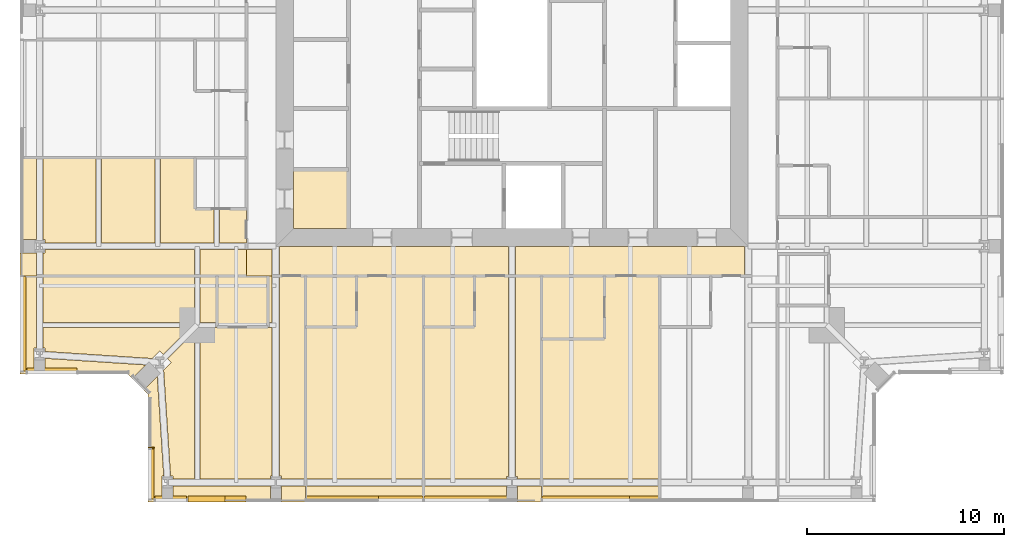
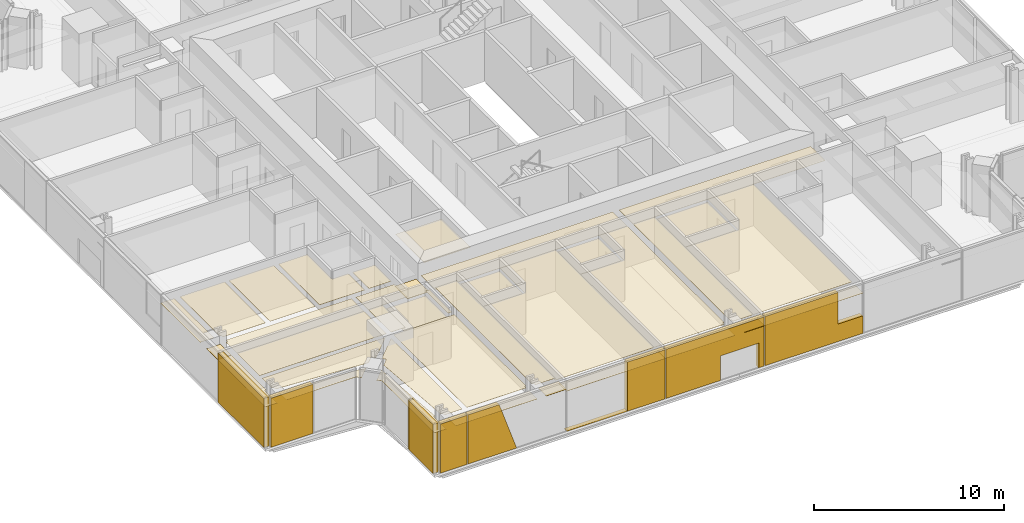
# One storey, part 16 of 20: 45 coverings.
"""IFC4 building model written with IfcOpenShell, lengths in metres."""

from ifc_helpers import new_model, si_unit, direction, frame, origin, place, context, subcontext, project, spatial, polyline, outline, extrude, material, layer, layer_set, type_object, element, save


model = new_model("IFC4")

# Units and contexts
model_context = context("Model", 3, precision=1e-05, world=origin(), true_north=direction((0.0, 1.0)))
body_context = subcontext(model_context, "Body", "Model", "MODEL_VIEW")
ifc_project = project(units=[si_unit("LENGTHUNIT", "METRE"), si_unit("AREAUNIT", "SQUARE_METRE"), si_unit("VOLUMEUNIT", "CUBIC_METRE"), si_unit("PLANEANGLEUNIT", "RADIAN"), si_unit("MASSUNIT", "GRAM", prefix="KILO")], contexts=[model_context])

# Site, building, storey
site_placement = place(None, origin())
site = spatial("IfcSite", under=ifc_project, at=site_placement, CompositionType="ELEMENT")
building_placement = place(site_placement, origin())
building = spatial("IfcBuilding", under=site, at=building_placement, Name="Fenwick Lantern Interchange", CompositionType="ELEMENT")
storey_placement = place(building_placement, frame((0.0, 0.0, 249.199951171875)))
storey = spatial("IfcBuildingStorey", under=building, at=storey_placement, Name="L58", CompositionType="ELEMENT", Elevation=249.199951171875)

# Coverings
ifc_material_1 = material(Name="Granite cladding, warm grey flamed finish, on aluminium carrier frame", Category="masonry")
ifc_layer_1 = layer(ifc_material_1, 0.300048828125)
ifc_layer_set_1 = layer_set([ifc_layer_1], Name="BRACE CASING PANEL 300")
covering_type_1 = type_object("IfcCoveringType", Name="BRACE CASING PANEL 300", PredefinedType="CLADDING", material=ifc_layer_set_1)
covering_1_placement = place(storey_placement, frame((6.60009765625, 0.10009765625, 0.0), z_axis=(0.0, 0.0, 1.0), x_axis=(1.0, 0.0, 0.0)))
element("IfcCovering", 1, at=covering_1_placement, inside=storey, type_object=covering_type_1, Name="Brace casing 01 bay 00a", PredefinedType="CLADDING", context=body_context, shape_type="SweptSolid", body=[
    extrude(outline(polyline([(0.260009765625, 0.0), (1.8701171875, 0.0), (1.8701171875, 3.150146484375), (0.260009765625, 3.150146484375), (0.260009765625, 0.0)])), frame((0.0, 0.2099609375, 0.0), z_axis=(0.0, -1.0, 0.0), x_axis=(1.0, 0.0, 0.0)), (0.0, 0.0, 1.0), 0.300048828125),
])
covering_2_placement = place(storey_placement, frame((6.60009765625, 0.10009765625, 0.0), z_axis=(0.0, 0.0, 1.0), x_axis=(1.0, 0.0, 0.0)))
element("IfcCovering", 2, at=covering_2_placement, inside=storey, type_object=covering_type_1, Name="Brace casing 01 bay 01a", PredefinedType="CLADDING", context=body_context, shape_type="SweptSolid", body=[
    extrude(outline(polyline([(1.929931640625, 0.0), (4.890869140625, 0.0), (3.827392578125, 3.150146484375), (1.929931640625, 3.150146484375), (1.929931640625, 0.0)])), frame((0.0, 0.2099609375, 0.0), z_axis=(0.0, -1.0, 0.0), x_axis=(1.0, 0.0, 0.0)), (0.0, 0.0, 1.0), 0.300048828125),
])
covering_3_placement = place(storey_placement, frame((6.60009765625, 0.10009765625, 0.0), z_axis=(0.0, 0.0, 1.0), x_axis=(1.0, 0.0, 0.0)))
element("IfcCovering", 3, at=covering_3_placement, inside=storey, type_object=covering_type_1, Name="Brace casing 01 bay 02a", PredefinedType="CLADDING", context=body_context, shape_type="SweptSolid", body=[
    extrude(outline(polyline([(7.929931640625, 0.0), (13.8701171875, 0.0), (13.8701171875, 3.150146484375), (11.60498046875, 3.150146484375), (11.60498046875, 0.00439453125), (7.929931640625, 0.00439453125), (7.929931640625, 0.0)])), frame((0.0, 0.2099609375, 0.0), z_axis=(0.0, -1.0, 0.0), x_axis=(1.0, 0.0, 0.0)), (0.0, 0.0, 1.0), 0.300048828125),
])
covering_4_placement = place(storey_placement, frame((6.60009765625, 0.10009765625, 0.0), z_axis=(0.0, 0.0, 1.0), x_axis=(1.0, 0.0, 0.0)))
element("IfcCovering", 4, at=covering_4_placement, inside=storey, type_object=covering_type_1, Name="Brace casing 01 bay 03a", PredefinedType="CLADDING", context=body_context, shape_type="SweptSolid", body=[
    extrude(outline(polyline([(13.929931640625, 0.0), (17.238037109375, 0.0), (17.238037109375, 1.580078125), (19.56298828125, 1.580078125), (19.56298828125, 0.0), (19.8701171875, 0.0), (19.8701171875, 3.150146484375), (13.929931640625, 3.150146484375), (13.929931640625, 0.0)])), frame((0.0, 0.2099609375, 0.0), z_axis=(0.0, -1.0, 0.0), x_axis=(1.0, 0.0, 0.0)), (0.0, 0.0, 1.0), 0.300048828125),
])
covering_5_placement = place(storey_placement, frame((6.60009765625, 0.10009765625, 0.0), z_axis=(0.0, 0.0, 1.0), x_axis=(1.0, 0.0, 0.0)))
element("IfcCovering", 5, at=covering_5_placement, inside=storey, type_object=covering_type_1, Name="Brace casing 01 bay 04a", PredefinedType="CLADDING", context=body_context, shape_type="SweptSolid", body=[
    extrude(outline(polyline([(19.929931640625, 0.0), (25.8701171875, 0.0), (25.8701171875, 1.120361328125), (24.372802734375, 1.120361328125), (24.372802734375, 3.150146484375), (19.929931640625, 3.150146484375), (19.929931640625, 0.0)])), frame((0.0, 0.2099609375, 0.0), z_axis=(0.0, -1.0, 0.0), x_axis=(1.0, 0.0, 0.0)), (0.0, 0.0, 1.0), 0.300048828125),
])
covering_6_placement = place(storey_placement, frame((0.10009765625, 43.39990234375, 0.0), z_axis=(0.0, 0.0, 1.0), x_axis=(0.0, -1.0, 0.0)))
element("IfcCovering", 6, at=covering_6_placement, inside=storey, type_object=covering_type_1, Name="Brace casing 13 bay 06a", PredefinedType="CLADDING", context=body_context, shape_type="SweptSolid", body=[
    extrude(outline(polyline([(31.929931640625, 0.0), (36.739990234375, 0.0), (36.739990234375, 3.150146484375), (31.929931640625, 3.150146484375), (31.929931640625, 0.0)])), frame((0.0, 0.2099609375, 0.0), z_axis=(0.0, -1.0, 0.0), x_axis=(1.0, 0.0, 0.0)), (0.0, 0.0, 1.0), 0.300048828125),
])
covering_7_placement = place(storey_placement, frame((0.10009765625, 6.60009765625, 0.0), z_axis=(0.0, 0.0, 1.0), x_axis=(1.0, 0.0, 0.0)))
element("IfcCovering", 7, at=covering_7_placement, inside=storey, type_object=covering_type_1, Name="Brace casing 14 bay 00a", PredefinedType="CLADDING", context=body_context, shape_type="SweptSolid", body=[
    extrude(outline(polyline([(0.260009765625, 0.0), (2.790771484375, 0.0), (2.790771484375, 3.150146484375), (0.260009765625, 3.150146484375), (0.260009765625, 0.0)])), frame((0.0, 0.2099609375, 0.0), z_axis=(0.0, -1.0, 0.0), x_axis=(1.0, 0.0, 0.0)), (0.0, 0.0, 1.0), 0.300048828125),
])
covering_8_placement = place(storey_placement, frame((6.60009765625, 5.54150390625, 0.0), z_axis=(0.0, 0.0, 1.0), x_axis=(0.0, -1.0, 0.0)))
element("IfcCovering", 8, at=covering_8_placement, inside=storey, type_object=covering_type_1, Name="Brace casing 16 bay 00a", PredefinedType="CLADDING", context=body_context, shape_type="SweptSolid", body=[
    extrude(outline(polyline([(2.741455078125, 0.0), (2.790771484375, 0.0), (2.790771484375, 3.150146484375), (2.741455078125, 3.150146484375), (2.741455078125, 0.0)])), frame((0.0, 0.2099609375, 0.0), z_axis=(0.0, -1.0, 0.0), x_axis=(1.0, 0.0, 0.0)), (0.0, 0.0, 1.0), 0.300048828125),
])
covering_9_placement = place(storey_placement, frame((6.60009765625, 5.54150390625, 0.0), z_axis=(0.0, 0.0, 1.0), x_axis=(0.0, -1.0, 0.0)))
element("IfcCovering", 9, at=covering_9_placement, inside=storey, type_object=covering_type_1, Name="Brace casing 16 bay 01a", PredefinedType="CLADDING", context=body_context, shape_type="SweptSolid", body=[
    extrude(outline(polyline([(2.850830078125, 0.0), (5.38134765625, 0.0), (5.38134765625, 3.150146484375), (2.850830078125, 3.150146484375), (2.850830078125, 0.0)])), frame((0.0, 0.2099609375, 0.0), z_axis=(0.0, -1.0, 0.0), x_axis=(1.0, 0.0, 0.0)), (0.0, 0.0, 1.0), 0.300048828125),
])
ifc_material_2 = material(Name="Moisture resistant gypsum board on suspended frame, painted")
ifc_layer_2 = layer(ifc_material_2, 0.014892578125)
ifc_layer_set_2 = layer_set([ifc_layer_2], Name="MOISTURE RESISTANT CEILING 15")
covering_type_2 = type_object("IfcCoveringType", Name="MOISTURE RESISTANT CEILING 15", PredefinedType="CEILING", material=ifc_layer_set_2)
covering_10_placement = place(storey_placement, frame((0.0, 0.0, 2.60009765625)))
element("IfcCovering", 10, at=covering_10_placement, inside=storey, type_object=covering_type_2, Name="Accessible WC ceiling", PredefinedType="CEILING", context=body_context, shape_type="SweptSolid", body=[
    extrude(outline(polyline([(13.89990234375, 13.89990234375), (16.699951171875, 13.89990234375), (16.699951171875, 16.89990234375), (13.89990234375, 16.89990234375), (13.89990234375, 13.89990234375)])), origin(), (0.0, 0.0, 1.0), 0.014892578125),
])
covering_11_placement = place(storey_placement, frame((0.0, 0.0, 2.400146484375)))
element("IfcCovering", 11, at=covering_11_placement, inside=storey, type_object=covering_type_2, Name="En-suite 5801 ceiling", PredefinedType="CEILING", context=body_context, shape_type="SweptSolid", body=[
    extrude(outline(polyline([(10.0, 8.89990234375), (12.60009765625, 8.89990234375), (12.60009765625, 11.5), (10.0, 11.5), (10.0, 8.89990234375)])), origin(), (0.0, 0.0, 1.0), 0.014892578125),
])
covering_12_placement = place(storey_placement, frame((0.0, 0.0, 2.400146484375)))
element("IfcCovering", 12, at=covering_12_placement, inside=storey, type_object=covering_type_2, Name="En-suite 5802 ceiling", PredefinedType="CEILING", context=body_context, shape_type="SweptSolid", body=[
    extrude(outline(polyline([(14.5, 8.89990234375), (17.10009765625, 8.89990234375), (17.10009765625, 11.5), (14.5, 11.5), (14.5, 8.89990234375)])), origin(), (0.0, 0.0, 1.0), 0.014892578125),
])
covering_13_placement = place(storey_placement, frame((0.0, 0.0, 2.400146484375)))
element("IfcCovering", 13, at=covering_13_placement, inside=storey, type_object=covering_type_2, Name="En-suite 5803 ceiling", PredefinedType="CEILING", context=body_context, shape_type="SweptSolid", body=[
    extrude(outline(polyline([(20.5, 8.89990234375), (23.10009765625, 8.89990234375), (23.10009765625, 11.5), (20.5, 11.5), (20.5, 8.89990234375)])), origin(), (0.0, 0.0, 1.0), 0.014892578125),
])
covering_14_placement = place(storey_placement, frame((0.0, 0.0, 2.400146484375)))
element("IfcCovering", 14, at=covering_14_placement, inside=storey, type_object=covering_type_2, Name="En-suite 5804 ceiling", PredefinedType="CEILING", context=body_context, shape_type="SweptSolid", body=[
    extrude(outline(polyline([(26.5, 8.300048828125), (29.699951171875, 8.300048828125), (29.699951171875, 11.5), (26.5, 11.5), (26.5, 8.300048828125)])), origin(), (0.0, 0.0, 1.0), 0.014892578125),
])
ifc_material_3 = material(Name="Gypsum plasterboard on suspended frame, painted")
ifc_layer_3 = layer(ifc_material_3, 0.014892578125)
ifc_layer_set_3 = layer_set([ifc_layer_3], Name="PLASTERBOARD CEILING 15")
covering_type_3 = type_object("IfcCoveringType", Name="PLASTERBOARD CEILING 15", PredefinedType="CEILING", material=ifc_layer_set_3)
covering_15_placement = place(storey_placement, frame((0.0, 0.0, 2.572998046875)))
element("IfcCovering", 15, at=covering_15_placement, inside=storey, type_object=covering_type_3, Name="Corridor ceiling", PredefinedType="CEILING", context=body_context, shape_type="SweptSolid", body=[
    extrude(outline(polyline([(13.183837890625, 11.5), (24.816162109375, 11.5), (24.816162109375, 13.0), (13.183837890625, 13.0), (13.183837890625, 11.5)])), origin(), (0.0, 0.0, 1.0), 0.014892578125),
])
covering_16_placement = place(storey_placement, frame((0.0, 0.0, 2.572998046875)))
element("IfcCovering", 16, at=covering_16_placement, inside=storey, type_object=covering_type_3, Name="Corridor ceiling", PredefinedType="CEILING", context=body_context, shape_type="SweptSolid", body=[
    extrude(outline(polyline([(25.183837890625, 11.5), (36.816162109375, 11.5), (36.816162109375, 13.0), (25.183837890625, 13.0), (25.183837890625, 11.5)])), origin(), (0.0, 0.0, 1.0), 0.014892578125),
])
covering_17_placement = place(storey_placement, frame((0.0, 0.0, 2.572998046875)))
element("IfcCovering", 17, at=covering_17_placement, inside=storey, type_object=covering_type_3, Name="Corridor ceiling", PredefinedType="CEILING", context=body_context, shape_type="SweptSolid", body=[
    extrude(outline(polyline([(11.5, 11.5), (12.816162109375, 11.5), (12.816162109375, 12.833984375), (11.5, 12.833984375), (11.5, 11.5)])), origin(), (0.0, 0.0, 1.0), 0.014892578125),
])
covering_18_placement = place(storey_placement, frame((0.0, 0.0, 2.699951171875)))
element("IfcCovering", 18, at=covering_18_placement, inside=storey, type_object=covering_type_3, Name="Guest suite 5801 ceiling", PredefinedType="CEILING", context=body_context, shape_type="SweptSolid", body=[
    extrude(outline(polyline([(12.72265625, 1.33447265625), (12.816162109375, 1.33447265625), (12.816162109375, 8.865478515625), (9.134521484375, 8.865478515625), (9.134521484375, 1.17236328125), (12.72265625, 1.17236328125), (12.72265625, 1.33447265625)])), origin(), (0.0, 0.0, 1.0), 0.01513671875),
])
covering_19_placement = place(storey_placement, frame((0.0, 0.0, 2.699951171875)))
element("IfcCovering", 19, at=covering_19_placement, inside=storey, type_object=covering_type_3, Name="Guest suite 5801 ceiling", PredefinedType="CEILING", context=body_context, shape_type="SweptSolid", body=[
    extrude(outline(polyline([(8.865478515625, 11.5), (1.17236328125, 11.5), (1.17236328125, 9.134521484375), (8.865478515625, 9.134521484375), (8.865478515625, 11.5)])), origin(), (0.0, 0.0, 1.0), 0.01513671875),
])
covering_20_placement = place(storey_placement, frame((0.0, 0.0, 2.699951171875)))
element("IfcCovering", 20, at=covering_20_placement, inside=storey, type_object=covering_type_3, Name="Guest suite 5801 ceiling", PredefinedType="CEILING", context=body_context, shape_type="SweptSolid", body=[
    extrude(outline(polyline([(14.5, 11.5), (13.183837890625, 11.5), (13.183837890625, 1.33447265625), (13.27734375, 1.33447265625), (13.27734375, 1.17236328125), (14.5, 1.17236328125), (14.5, 11.5)])), origin(), (0.0, 0.0, 1.0), 0.01513671875),
])
covering_21_placement = place(storey_placement, frame((0.0, 0.0, 2.699951171875)))
element("IfcCovering", 21, at=covering_21_placement, inside=storey, type_object=covering_type_3, Name="Guest suite 5801 ceiling", PredefinedType="CEILING", context=body_context, shape_type="SweptSolid", body=[
    extrude(outline(polyline([(7.10009765625, 7.6826171875), (7.28271484375, 7.499755859375), (8.648681640625, 8.865478515625), (1.17236328125, 8.865478515625), (1.17236328125, 7.83447265625), (1.27734375, 7.83447265625), (1.27734375, 7.654541015625), (6.715576171875, 7.298095703125), (7.10009765625, 7.6826171875)])), origin(), (0.0, 0.0, 1.0), 0.01513671875),
])
covering_22_placement = place(storey_placement, frame((0.0, 0.0, 2.699951171875)))
element("IfcCovering", 22, at=covering_22_placement, inside=storey, type_object=covering_type_3, Name="Guest suite 5801 ceiling", PredefinedType="CEILING", context=body_context, shape_type="SweptSolid", body=[
    extrude(outline(polyline([(7.77734375, 1.33447265625), (7.77734375, 1.17236328125), (8.865478515625, 1.17236328125), (8.865478515625, 8.648681640625), (7.499755859375, 7.28271484375), (7.6826171875, 7.10009765625), (7.298095703125, 6.715576171875), (7.65087890625, 1.33447265625), (7.77734375, 1.33447265625)])), origin(), (0.0, 0.0, 1.0), 0.01513671875),
])
covering_23_placement = place(storey_placement, frame((0.0, 0.0, 2.699951171875)))
element("IfcCovering", 23, at=covering_23_placement, inside=storey, type_object=covering_type_3, Name="Guest suite 5801 ceiling", PredefinedType="CEILING", context=body_context, shape_type="SweptSolid", body=[
    extrude(outline(polyline([(7.22265625, 1.33447265625), (7.30517578125, 1.33447265625), (6.9736328125, 6.39111328125), (6.291259765625, 5.708740234375), (6.5, 5.5), (6.5, 0.0), (7.22265625, 0.0), (7.22265625, 1.33447265625)])), origin(), (0.0, 0.0, 1.0), 0.01513671875),
])
covering_24_placement = place(storey_placement, frame((0.0, 0.0, 2.699951171875)))
element("IfcCovering", 24, at=covering_24_placement, inside=storey, type_object=covering_type_3, Name="Guest suite 5801 ceiling", PredefinedType="CEILING", context=body_context, shape_type="SweptSolid", body=[
    extrude(outline(polyline([(12.72265625, 0.0), (12.72265625, 0.82763671875), (7.77734375, 0.82763671875), (7.77734375, 0.0), (12.72265625, 0.0)])), origin(), (0.0, 0.0, 1.0), 0.01513671875),
])
covering_25_placement = place(storey_placement, frame((0.0, 0.0, 2.699951171875)))
element("IfcCovering", 25, at=covering_25_placement, inside=storey, type_object=covering_type_3, Name="Guest suite 5801 ceiling", PredefinedType="CEILING", context=body_context, shape_type="SweptSolid", body=[
    extrude(outline(polyline([(0.72265625, 7.83447265625), (0.82763671875, 7.83447265625), (0.82763671875, 11.5), (0.0, 11.5), (0.0, 6.5), (0.72265625, 6.5), (0.72265625, 7.83447265625)])), origin(), (0.0, 0.0, 1.0), 0.01513671875),
])
covering_26_placement = place(storey_placement, frame((0.0, 0.0, 2.699951171875)))
element("IfcCovering", 26, at=covering_26_placement, inside=storey, type_object=covering_type_3, Name="Guest suite 5801 ceiling", PredefinedType="CEILING", context=body_context, shape_type="SweptSolid", body=[
    extrude(outline(polyline([(5.708740234375, 6.291259765625), (6.39111328125, 6.9736328125), (1.27734375, 7.30908203125), (1.27734375, 6.5), (5.5, 6.5), (5.708740234375, 6.291259765625)])), origin(), (0.0, 0.0, 1.0), 0.01513671875),
])
covering_27_placement = place(storey_placement, frame((0.0, 0.0, 2.699951171875)))
element("IfcCovering", 27, at=covering_27_placement, inside=storey, type_object=covering_type_3, Name="Guest suite 5801 ceiling", PredefinedType="CEILING", context=body_context, shape_type="SweptSolid", body=[
    extrude(outline(polyline([(10.0, 9.134521484375), (10.0, 11.5), (9.134521484375, 11.5), (9.134521484375, 9.134521484375), (10.0, 9.134521484375)])), origin(), (0.0, 0.0, 1.0), 0.01513671875),
])
covering_28_placement = place(storey_placement, frame((0.0, 0.0, 2.699951171875)))
element("IfcCovering", 28, at=covering_28_placement, inside=storey, type_object=covering_type_3, Name="Guest suite 5801 ceiling", PredefinedType="CEILING", context=body_context, shape_type="SweptSolid", body=[
    extrude(outline(polyline([(14.5, 0.0), (14.5, 0.82763671875), (13.27734375, 0.82763671875), (13.27734375, 0.0), (14.5, 0.0)])), origin(), (0.0, 0.0, 1.0), 0.01513671875),
])
covering_29_placement = place(storey_placement, frame((0.0, 0.0, 2.699951171875)))
element("IfcCovering", 29, at=covering_29_placement, inside=storey, type_object=covering_type_3, Name="Guest suite 5801 ceiling", PredefinedType="CEILING", context=body_context, shape_type="SweptSolid", body=[
    extrude(outline(polyline([(12.60009765625, 11.5), (12.60009765625, 9.134521484375), (12.816162109375, 9.134521484375), (12.816162109375, 11.5), (12.60009765625, 11.5)])), origin(), (0.0, 0.0, 1.0), 0.01513671875),
])
covering_30_placement = place(storey_placement, frame((0.0, 0.0, 2.572998046875)))
element("IfcCovering", 30, at=covering_30_placement, inside=storey, type_object=covering_type_3, Name="Guest room 5802 ceiling", PredefinedType="CEILING", context=body_context, shape_type="SweptSolid", body=[
    extrude(outline(polyline([(20.5, 1.17236328125), (20.5, 11.5), (17.10009765625, 11.5), (17.10009765625, 8.89990234375), (14.5, 8.89990234375), (14.5, 1.17236328125), (20.5, 1.17236328125)])), origin(), (0.0, 0.0, 1.0), 0.014892578125),
])
covering_31_placement = place(storey_placement, frame((0.0, 0.0, 2.572998046875)))
element("IfcCovering", 31, at=covering_31_placement, inside=storey, type_object=covering_type_3, Name="Guest room 5802 ceiling", PredefinedType="CEILING", context=body_context, shape_type="SweptSolid", body=[
    extrude(outline(polyline([(20.5, 0.0), (20.5, 0.82763671875), (14.5, 0.82763671875), (14.5, 0.0), (20.5, 0.0)])), origin(), (0.0, 0.0, 1.0), 0.014892578125),
])
covering_32_placement = place(storey_placement, frame((0.0, 0.0, 2.572998046875)))
element("IfcCovering", 32, at=covering_32_placement, inside=storey, type_object=covering_type_3, Name="Guest room 5803 ceiling", PredefinedType="CEILING", context=body_context, shape_type="SweptSolid", body=[
    extrude(outline(polyline([(24.72900390625, 1.3154296875), (24.816162109375, 1.3154296875), (24.816162109375, 11.5), (23.10009765625, 11.5), (23.10009765625, 8.89990234375), (20.5, 8.89990234375), (20.5, 1.17236328125), (24.72900390625, 1.17236328125), (24.72900390625, 1.3154296875)])), origin(), (0.0, 0.0, 1.0), 0.014892578125),
])
covering_33_placement = place(storey_placement, frame((0.0, 0.0, 2.572998046875)))
element("IfcCovering", 33, at=covering_33_placement, inside=storey, type_object=covering_type_3, Name="Guest room 5803 ceiling", PredefinedType="CEILING", context=body_context, shape_type="SweptSolid", body=[
    extrude(outline(polyline([(25.27099609375, 1.3154296875), (25.27099609375, 1.17236328125), (26.5, 1.17236328125), (26.5, 11.5), (25.183837890625, 11.5), (25.183837890625, 1.3154296875), (25.27099609375, 1.3154296875)])), origin(), (0.0, 0.0, 1.0), 0.014892578125),
])
covering_34_placement = place(storey_placement, frame((0.0, 0.0, 2.572998046875)))
element("IfcCovering", 34, at=covering_34_placement, inside=storey, type_object=covering_type_3, Name="Guest room 5803 ceiling", PredefinedType="CEILING", context=body_context, shape_type="SweptSolid", body=[
    extrude(outline(polyline([(24.72900390625, 0.0), (24.72900390625, 0.82763671875), (20.5, 0.82763671875), (20.5, 0.0), (24.72900390625, 0.0)])), origin(), (0.0, 0.0, 1.0), 0.014892578125),
])
covering_35_placement = place(storey_placement, frame((0.0, 0.0, 2.572998046875)))
element("IfcCovering", 35, at=covering_35_placement, inside=storey, type_object=covering_type_3, Name="Guest room 5803 ceiling", PredefinedType="CEILING", context=body_context, shape_type="SweptSolid", body=[
    extrude(outline(polyline([(25.27099609375, 0.0), (26.5, 0.0), (26.5, 0.82763671875), (25.27099609375, 0.82763671875), (25.27099609375, 0.0)])), origin(), (0.0, 0.0, 1.0), 0.014892578125),
])
covering_36_placement = place(storey_placement, frame((0.0, 0.0, 2.572998046875)))
element("IfcCovering", 36, at=covering_36_placement, inside=storey, type_object=covering_type_3, Name="Guest room 5804 ceiling", PredefinedType="CEILING", context=body_context, shape_type="SweptSolid", body=[
    extrude(outline(polyline([(32.5, 1.17236328125), (32.5, 11.5), (29.699951171875, 11.5), (29.699951171875, 8.300048828125), (26.5, 8.300048828125), (26.5, 1.17236328125), (32.5, 1.17236328125)])), origin(), (0.0, 0.0, 1.0), 0.014892578125),
])
covering_37_placement = place(storey_placement, frame((0.0, 0.0, 2.572998046875)))
element("IfcCovering", 37, at=covering_37_placement, inside=storey, type_object=covering_type_3, Name="Guest room 5804 ceiling", PredefinedType="CEILING", context=body_context, shape_type="SweptSolid", body=[
    extrude(outline(polyline([(32.5, 0.0), (32.5, 0.82763671875), (26.5, 0.82763671875), (26.5, 0.0), (32.5, 0.0)])), origin(), (0.0, 0.0, 1.0), 0.014892578125),
])
covering_38_placement = place(storey_placement, frame((0.0, 0.0, 2.699951171875)))
element("IfcCovering", 38, at=covering_38_placement, inside=storey, type_object=covering_type_3, Name="Guest room 5820 ceiling", PredefinedType="CEILING", context=body_context, shape_type="SweptSolid", body=[
    extrude(outline(polyline([(6.865478515625, 17.5), (4.134521484375, 17.5), (4.134521484375, 13.166015625), (6.865478515625, 13.166015625), (6.865478515625, 17.5)])), origin(), (0.0, 0.0, 1.0), 0.01513671875),
])
covering_39_placement = place(storey_placement, frame((0.0, 0.0, 2.699951171875)))
element("IfcCovering", 39, at=covering_39_placement, inside=storey, type_object=covering_type_3, Name="Guest room 5820 ceiling", PredefinedType="CEILING", context=body_context, shape_type="SweptSolid", body=[
    extrude(outline(polyline([(1.27734375, 13.33447265625), (1.27734375, 13.166015625), (3.865478515625, 13.166015625), (3.865478515625, 17.5), (1.17236328125, 17.5), (1.17236328125, 13.33447265625), (1.27734375, 13.33447265625)])), origin(), (0.0, 0.0, 1.0), 0.01513671875),
])
covering_40_placement = place(storey_placement, frame((0.0, 0.0, 2.699951171875)))
element("IfcCovering", 40, at=covering_40_placement, inside=storey, type_object=covering_type_3, Name="Guest room 5820 ceiling", PredefinedType="CEILING", context=body_context, shape_type="SweptSolid", body=[
    extrude(outline(polyline([(1.27734375, 12.66552734375), (1.17236328125, 12.66552734375), (1.17236328125, 11.5), (8.865478515625, 11.5), (8.865478515625, 12.833984375), (1.27734375, 12.833984375), (1.27734375, 12.66552734375)])), origin(), (0.0, 0.0, 1.0), 0.01513671875),
])
covering_41_placement = place(storey_placement, frame((0.0, 0.0, 2.699951171875)))
element("IfcCovering", 41, at=covering_41_placement, inside=storey, type_object=covering_type_3, Name="Guest room 5820 ceiling", PredefinedType="CEILING", context=body_context, shape_type="SweptSolid", body=[
    extrude(outline(polyline([(8.89990234375, 17.5), (7.134521484375, 17.5), (7.134521484375, 13.166015625), (9.865478515625, 13.166015625), (9.865478515625, 14.89990234375), (8.89990234375, 14.89990234375), (8.89990234375, 17.5)])), origin(), (0.0, 0.0, 1.0), 0.01513671875),
])
covering_42_placement = place(storey_placement, frame((0.0, 0.0, 2.699951171875)))
element("IfcCovering", 42, at=covering_42_placement, inside=storey, type_object=covering_type_3, Name="Guest room 5820 ceiling", PredefinedType="CEILING", context=body_context, shape_type="SweptSolid", body=[
    extrude(outline(polyline([(0.0, 13.33447265625), (0.82763671875, 13.33447265625), (0.82763671875, 17.5), (0.0, 17.5), (0.0, 13.33447265625)])), origin(), (0.0, 0.0, 1.0), 0.01513671875),
])
covering_43_placement = place(storey_placement, frame((0.0, 0.0, 2.699951171875)))
element("IfcCovering", 43, at=covering_43_placement, inside=storey, type_object=covering_type_3, Name="Guest room 5820 ceiling", PredefinedType="CEILING", context=body_context, shape_type="SweptSolid", body=[
    extrude(outline(polyline([(11.5, 11.5), (11.5, 12.833984375), (9.134521484375, 12.833984375), (9.134521484375, 11.5), (11.5, 11.5)])), origin(), (0.0, 0.0, 1.0), 0.01513671875),
])
covering_44_placement = place(storey_placement, frame((0.0, 0.0, 2.699951171875)))
element("IfcCovering", 44, at=covering_44_placement, inside=storey, type_object=covering_type_3, Name="Guest room 5820 ceiling", PredefinedType="CEILING", context=body_context, shape_type="SweptSolid", body=[
    extrude(outline(polyline([(11.5, 14.89990234375), (10.134521484375, 14.89990234375), (10.134521484375, 13.166015625), (11.5, 13.166015625), (11.5, 14.89990234375)])), origin(), (0.0, 0.0, 1.0), 0.01513671875),
])
covering_45_placement = place(storey_placement, frame((0.0, 0.0, 2.699951171875)))
element("IfcCovering", 45, at=covering_45_placement, inside=storey, type_object=covering_type_3, Name="Guest room 5820 ceiling", PredefinedType="CEILING", context=body_context, shape_type="SweptSolid", body=[
    extrude(outline(polyline([(0.0, 12.66552734375), (0.0, 11.5), (0.82763671875, 11.5), (0.82763671875, 12.66552734375), (0.0, 12.66552734375)])), origin(), (0.0, 0.0, 1.0), 0.01513671875),
])

save(model, "model.ifc")
